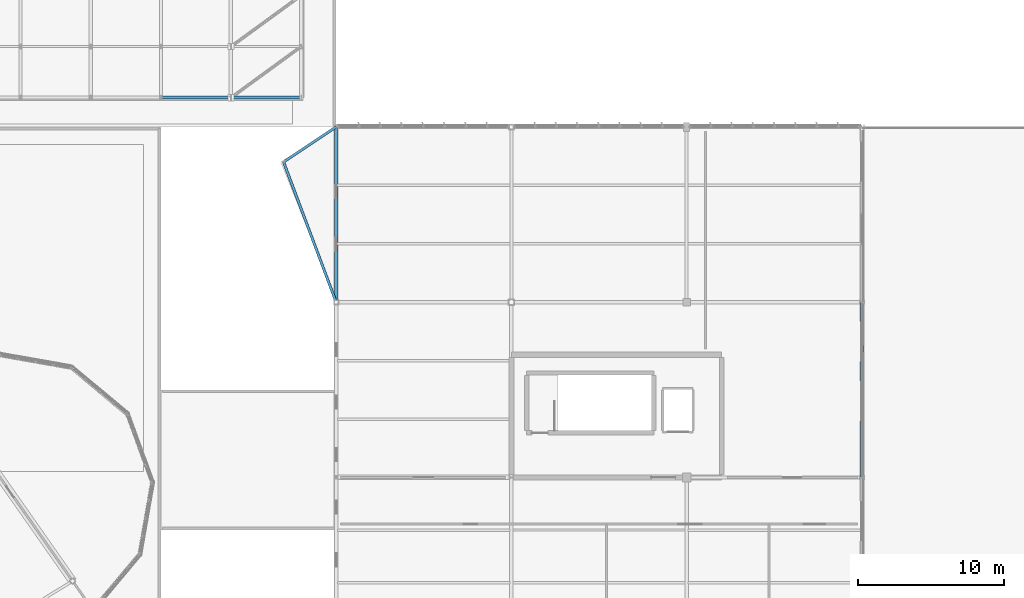
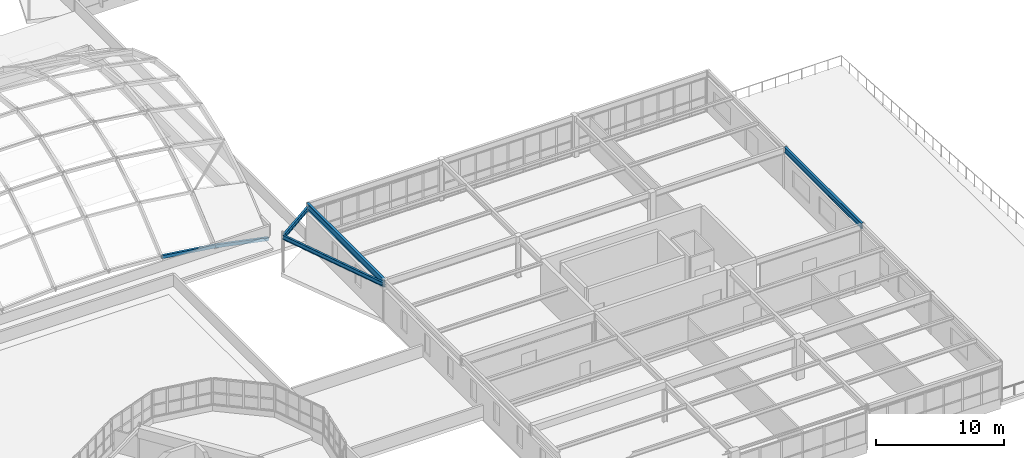
# One storey, part 56 of 128: 4 beams, 2 members.
"""IFC4 building model written with IfcOpenShell, lengths in metres."""

from ifc_helpers import new_model, si_unit, direction, frame, origin, origin_2d, place, context, subcontext, project, spatial, hollow_rectangle, i_section, extrude, material, material_profile, profile_set, type_object, element, save


model = new_model("IFC4")

# Units and contexts
model_context = context("Model", 3, precision=1e-05, world=origin(), true_north=direction((0.0, 1.0)))
body_context = subcontext(model_context, "Body", "Model", "MODEL_VIEW")
ifc_project = project(units=[si_unit("LENGTHUNIT", "METRE"), si_unit("AREAUNIT", "SQUARE_METRE"), si_unit("VOLUMEUNIT", "CUBIC_METRE"), si_unit("PLANEANGLEUNIT", "RADIAN"), si_unit("MASSUNIT", "GRAM", prefix="KILO")], contexts=[model_context])

# Site, building, storey
site_placement = place(None, origin())
site = spatial("IfcSite", under=ifc_project, at=site_placement, CompositionType="ELEMENT")
building_placement = place(site_placement, origin())
building = spatial("IfcBuilding", under=site, at=building_placement, Name="Tarnwether General Hospital", CompositionType="ELEMENT")
storey_placement = place(building_placement, frame((0.0, 0.0, 14.39990234375)))
storey = spatial("IfcBuildingStorey", under=building, at=storey_placement, Name="L03", CompositionType="ELEMENT", Elevation=14.39990234375)

# Beams
ifc_material_1 = material(Name="Steel Grade 350 (350 MPa)", Category="steel")
ifc_material_profile_1 = material_profile(ifc_material_1, i_section(OverallWidth=0.22802734375, OverallDepth=0.60205078125, WebThickness=0.010498046875, FlangeThickness=0.014892578125, at=origin_2d()), Name="610UB101")
ifc_profile_set_1 = profile_set([ifc_material_profile_1], Name="Steel Grade 350 (350 MPa)")
beam_type_1 = type_object("IfcBeamType", Name="BM-G05", PredefinedType="BEAM", material=ifc_profile_set_1)
beam_1_placement = place(storey_placement, frame((144.0, 33.60009765625, 3.59912109375), z_axis=(0.0, 1.0, 0.0), x_axis=(-1.0, 0.0, 0.0)))
element("IfcBeam", 1, at=beam_1_placement, inside=storey, type_object=beam_type_1, Name="Primary Girder BMG-L03-14400_3360-14400_4560-1761", PredefinedType="BEAM", context=body_context, shape_type="SweptSolid", body=[
    extrude(i_section(OverallWidth=0.22802734375, OverallDepth=0.60205078125, WebThickness=0.010498046875, FlangeThickness=0.014892578125, at=origin_2d()), origin(), (0.0, 0.0, 1.0), 12.0),
])
ifc_material_2 = material(Name="Steel Grade 350 (350 MPa)", Category="steel")
ifc_material_profile_2 = material_profile(ifc_material_2, i_section(OverallWidth=0.208984375, OverallDepth=0.528076171875, WebThickness=0.009521484375, FlangeThickness=0.01318359375, at=origin_2d()), Name="530UB82.0")
ifc_profile_set_2 = profile_set([ifc_material_profile_2], Name="Steel Grade 350 (350 MPa)")
beam_type_2 = type_object("IfcBeamType", Name="BM-G07", PredefinedType="BEAM", material=ifc_profile_set_2)
beam_2_placement = place(storey_placement, frame((180.0, 21.60009765625, 3.635986328125), z_axis=(0.0, 1.0, 0.0), x_axis=(-1.0, 0.0, 0.0)))
element("IfcBeam", 2, at=beam_2_placement, inside=storey, type_object=beam_type_2, Name="Primary Girder BMG-L03-18000_2160-18000_3360-1808", PredefinedType="BEAM", context=body_context, shape_type="SweptSolid", body=[
    extrude(i_section(OverallWidth=0.208984375, OverallDepth=0.528076171875, WebThickness=0.009521484375, FlangeThickness=0.01318359375, at=origin_2d()), origin(), (0.0, 0.0, 1.0), 12.0),
])
ifc_material_3 = material(Name="Steel Grade 350 (350 MPa)", Category="steel")
ifc_material_profile_3 = material_profile(ifc_material_3, i_section(OverallWidth=0.177978515625, OverallDepth=0.403076171875, WebThickness=0.007568359375, FlangeThickness=0.010986328125, at=origin_2d()), Name="410UB53.7")
ifc_profile_set_3 = profile_set([ifc_material_profile_3], Name="Steel Grade 350 (350 MPa)")
beam_type_3 = type_object("IfcBeamType", Name="BM-SP2", PredefinedType="SPANDREL", material=ifc_profile_set_3)
beam_3_placement = place(storey_placement, frame((144.0, 33.60009765625, 3.358642578125), z_axis=(-0.351136489402, 0.936324284535, 0.0), x_axis=(-0.936324284535, -0.351136489402, 0.0)))
element("IfcBeam", 3, at=beam_3_placement, inside=storey, type_object=beam_type_3, Name="Forecourt South Shard Girder BMG-L03-14400_3360-14040_4320-2236", PredefinedType="SPANDREL", context=body_context, shape_type="SweptSolid", body=[
    extrude(i_section(OverallWidth=0.177978515625, OverallDepth=0.403076171875, WebThickness=0.007568359375, FlangeThickness=0.010986328125, at=origin_2d()), origin(), (0.0, 0.0, 1.0), 10.252685546875),
])
beam_4_placement = place(storey_placement, frame((140.39990234375, 43.199951171875, 3.358642578125), z_axis=(0.832041613482, 0.554713217289, 0.0), x_axis=(-0.554713217289, 0.832041613482, 0.0)))
element("IfcBeam", 4, at=beam_4_placement, inside=storey, type_object=beam_type_3, Name="Forecourt South Shard Tie BMG-L03-14040_4320-14400_4560-2237", PredefinedType="SPANDREL", context=body_context, shape_type="SweptSolid", body=[
    extrude(i_section(OverallWidth=0.177978515625, OverallDepth=0.403076171875, WebThickness=0.007568359375, FlangeThickness=0.010986328125, at=origin_2d()), origin(), (0.0, 0.0, 1.0), 4.326904296875),
])

# Members
ifc_material_4 = material(Name="Steel Grade C350L0 (350 MPa)", Category="steel")
ifc_material_profile_4 = material_profile(ifc_material_4, hollow_rectangle(XDim=0.199951171875, YDim=0.300048828125, WallThickness=0.012451171875, at=origin_2d()), Name="RHS300x200x12.5")
ifc_profile_set_4 = profile_set([ifc_material_profile_4], Name="Steel Grade C350L0 (350 MPa)")
member_type = type_object("IfcMemberType", Name="MB-GS3", PredefinedType="CHORD", material=ifc_profile_set_4)
member_1_placement = place(storey_placement, frame((132.0, 47.60009765625, 1.74267578125), z_axis=(0.990870911369, 0.0, -0.134814083104), x_axis=(0.0, 1.0, 0.0)))
element("IfcMember", 5, at=member_1_placement, inside=storey, type_object=member_type, Name="Gridshell Steel Longitudinal Chord 070", PredefinedType="CHORD", context=body_context, shape_type="SweptSolid", body=[
    extrude(hollow_rectangle(XDim=0.199951171875, YDim=0.300048828125, WallThickness=0.012451171875, at=origin_2d()), origin(), (0.0, 0.0, 1.0), 4.84423828125),
])
member_2_placement = place(storey_placement, frame((136.800048828125, 47.60009765625, 1.089599609375), z_axis=(0.979808442283, 0.0, -0.199938531633), x_axis=(0.0, 1.0, 0.0)))
element("IfcMember", 6, at=member_2_placement, inside=storey, type_object=member_type, Name="Gridshell Steel Longitudinal Chord 071", PredefinedType="CHORD", context=body_context, shape_type="SweptSolid", body=[
    extrude(hollow_rectangle(XDim=0.199951171875, YDim=0.300048828125, WallThickness=0.012451171875, at=origin_2d()), origin(), (0.0, 0.0, 1.0), 4.89892578125),
])

save(model, "model.ifc")
